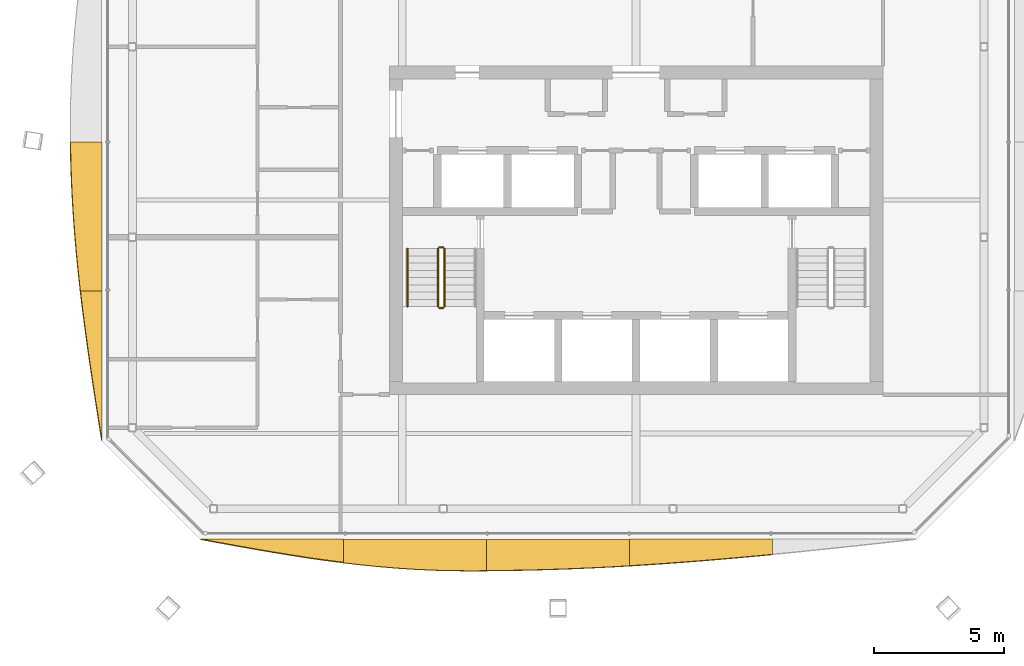
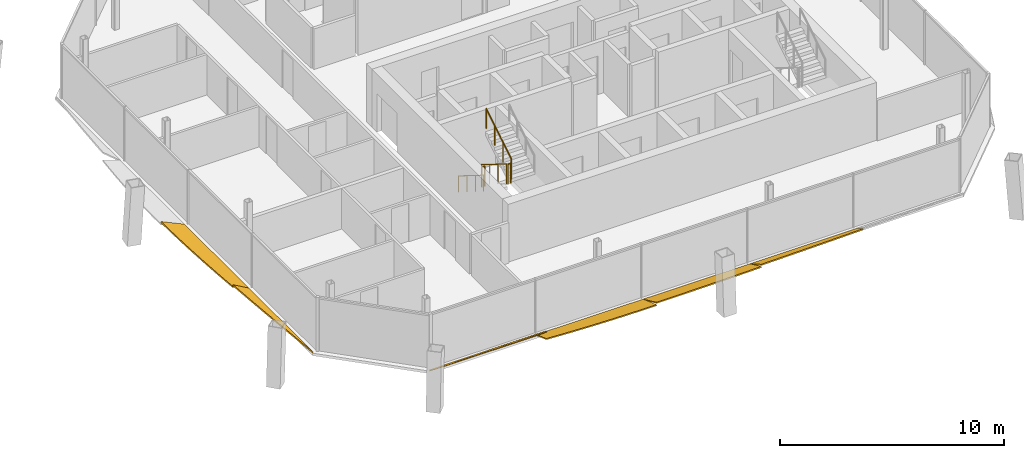
# One storey, part 13 of 16: 6 shading devices, 5 railings.
"""IFC4 building model written with IfcOpenShell, lengths in metres."""

import ifcopenshell
import ifcopenshell.guid

model = None  # the IFC model being written
_history = None  # IfcOwnerHistory: only IFC2X3 demands one
_inside = {}  # id of a spatial element -> (the spatial element, [elements in it])
_under = {}  # id of a project, library or spatial element -> (it, [spatial elements below it])
_declared = {}  # id of a project -> (the project, [libraries it declares])
_typed = {}  # id of a type object -> (the type object, [elements of that type])
_made_of = {}  # id of a material, layer set ... -> (it, [elements and type objects made of it])


def new_model(schema):
    """Start an empty IFC model of exactly this schema.

    Asked for "IFC4X3", IfcOpenShell would pick the latest addendum, in which some entities
    have other attributes; the version numbers below select the first issue.
    IFC2X3 requires an IfcOwnerHistory on every rooted entity: one is made here for all.
    """
    global model, _history
    if schema == "IFC4X3":
        model = ifcopenshell.file(schema_version=(4, 3, 0, 0))
    else:
        model = ifcopenshell.file(schema=schema)
    _inside.clear()
    _under.clear()
    _declared.clear()
    _typed.clear()
    _made_of.clear()
    _history = None
    if model.schema == "IFC2X3":
        org = make("IfcOrganization", Name="unknown")
        user = make(
            "IfcPersonAndOrganization",
            ThePerson=make("IfcPerson", FamilyName="unknown"),
            TheOrganization=org,
        )
        app = make(
            "IfcApplication",
            ApplicationDeveloper=org,
            Version="unknown",
            ApplicationFullName="unknown",
            ApplicationIdentifier="unknown",
        )
        _history = make(
            "IfcOwnerHistory",
            OwningUser=user,
            OwningApplication=app,
            ChangeAction="ADDED",
            CreationDate=0,
        )
    return model


def make(cls, **values):
    """One entity of the class cls with the attributes given. An attribute that is None is left unset."""
    return model.create_entity(
        cls, **{name: value for name, value in values.items() if value is not None}
    )


def rooted(cls, **values):
    """An entity with a GlobalId (a new one), such as an element, a storey or a relation."""
    return make(cls, GlobalId=ifcopenshell.guid.new(), OwnerHistory=_history, **values)


def si_unit(unit_type, name, prefix=None):
    """IfcSIUnit, for example si_unit("LENGTHUNIT", "METRE", prefix="MILLI")."""
    return make("IfcSIUnit", UnitType=unit_type, Prefix=prefix, Name=name)


def assignment(units):
    """IfcUnitAssignment: the units of a project."""
    return None if units is None else make("IfcUnitAssignment", Units=units)


def point(xyz):
    """IfcCartesianPoint."""
    return None if xyz is None else make("IfcCartesianPoint", Coordinates=xyz)


def direction(xyz):
    """IfcDirection."""
    return None if xyz is None else make("IfcDirection", DirectionRatios=xyz)


def frame(location, z_axis=None, x_axis=None):
    """IfcAxis2Placement3D, a coordinate frame: its origin and axes. An axis left out is left unset."""
    return make(
        "IfcAxis2Placement3D",
        Location=point(location),
        Axis=direction(z_axis),
        RefDirection=direction(x_axis),
    )


def frame_2d(location, x_axis=None):
    """IfcAxis2Placement2D, a coordinate frame in the plane: its origin and x axis."""
    return make(
        "IfcAxis2Placement2D", Location=point(location), RefDirection=direction(x_axis)
    )


def origin():
    """The frame at (0, 0, 0) with its axes left unset."""
    return frame((0.0, 0.0, 0.0))


def origin_2d():
    """The frame at (0, 0) in the plane with its x axis left unset."""
    return frame_2d((0.0, 0.0))


def place(relative_to, where):
    """IfcLocalPlacement: puts the frame where relative to a parent placement (None: the world)."""
    return make(
        "IfcLocalPlacement", PlacementRelTo=relative_to, RelativePlacement=where
    )


def context(
    kind, dimensions, precision=None, world=None, true_north=None, identifier=None
):
    """IfcGeometricRepresentationContext, for example the 3D "Model" context."""
    return make(
        "IfcGeometricRepresentationContext",
        ContextIdentifier=identifier,
        ContextType=kind,
        CoordinateSpaceDimension=dimensions,
        Precision=precision,
        WorldCoordinateSystem=world,
        TrueNorth=true_north,
    )


def subcontext(parent, identifier, kind, view, scale=None):
    """IfcGeometricRepresentationSubContext, for example "Body" below "Model"."""
    return make(
        "IfcGeometricRepresentationSubContext",
        ContextIdentifier=identifier,
        ContextType=kind,
        ParentContext=parent,
        TargetScale=scale,
        TargetView=view,
    )


def project(units=None, contexts=None):
    """IfcProject with its units and contexts."""
    return rooted(
        "IfcProject",
        Name="project",
        RepresentationContexts=contexts,
        UnitsInContext=assignment(units),
    )


def spatial(cls, under=None, at=None, **own):
    """A site, building, storey or space (cls), placed at a placement, below another one or the project."""
    s = rooted(cls, ObjectPlacement=at, **own)
    if under is not None:
        _under.setdefault(under.id(), (under, []))[1].append(s)
    return s


def polyline(points):
    """IfcPolyline through the points."""
    return make("IfcPolyline", Points=[point(p) for p in points])


def profile(cls, at=None, kind="AREA", **sizes):
    """A parametric profile (cls). Its sizes go by their IFC names, for example OverallWidth=200.0."""
    return make(cls, ProfileType=kind, Position=at, **sizes)


def circle(**sizes):
    """IfcCircleProfileDef."""
    return profile("IfcCircleProfileDef", **sizes)


def outline(outer, holes=None, kind="AREA"):
    """IfcArbitraryClosedProfileDef: a profile drawn as a closed curve; with holes, ...WithVoids."""
    if holes is None:
        return make("IfcArbitraryClosedProfileDef", ProfileType=kind, OuterCurve=outer)
    return make(
        "IfcArbitraryProfileDefWithVoids",
        ProfileType=kind,
        OuterCurve=outer,
        InnerCurves=holes,
    )


def extrude(swept, where, along, depth):
    """IfcExtrudedAreaSolid: the profile swept, set in the frame where, extruded along a direction by depth."""
    return make(
        "IfcExtrudedAreaSolid",
        SweptArea=swept,
        Position=where,
        ExtrudedDirection=direction(along),
        Depth=depth,
    )


def shape(context_of_items, identifier, shape_type, items):
    """IfcShapeRepresentation: the items that make up one representation, for example the "Body"."""
    return make(
        "IfcShapeRepresentation",
        ContextOfItems=context_of_items,
        RepresentationIdentifier=identifier,
        RepresentationType=shape_type,
        Items=items,
    )


def material(Name=None, Category=None):
    """IfcMaterial."""
    return make("IfcMaterial", Name=Name, Category=Category)


def layer(
    of_material, thickness, ventilated=None, Name=None, Category=None, Priority=None
):
    """IfcMaterialLayer: one layer of a wall or slab, of a material (None: an air gap)."""
    return make(
        "IfcMaterialLayer",
        Material=of_material,
        LayerThickness=thickness,
        IsVentilated=ventilated,
        Name=Name,
        Category=Category,
        Priority=Priority,
    )


def layer_set(layers, Name=None):
    """IfcMaterialLayerSet."""
    return make("IfcMaterialLayerSet", MaterialLayers=layers, LayerSetName=Name)


def made_of(thing, what):
    """Note that an element or type object is made of a material, layer set ...; save() writes the relation."""
    if what is not None:
        _made_of.setdefault(what.id(), (what, []))[1].append(thing)
    return thing


def type_object(cls, material=None, **own):
    """A type object (cls), such as IfcWallType, which elements share."""
    return made_of(rooted(cls, **own), material)


def element(
    cls,
    number,
    at=None,
    inside=None,
    cuts=None,
    type_object=None,
    material=None,
    context=None,
    identifier="Body",
    shape_type=None,
    held_by="IfcProductDefinitionShape",
    body=None,
    shapes=None,
    **own,
):
    """One element of the class cls, such as IfcWall. Its Tag is "e" and its number.

    at: its placement. inside: the storey or other place that contains it. cuts: it is an
    opening in that element (IfcRelVoidsElement). A single representation is given by context,
    identifier, shape_type and body (its items); several are given by shapes. held_by: the class
    of the entity that holds the representations. save() writes the other relations.
    """
    e = rooted(cls, Tag="e%d" % number, ObjectPlacement=at, **own)
    if body is not None:
        shapes = [shape(context, identifier, shape_type, body)]
    if shapes is not None:
        e.Representation = make(held_by, Representations=shapes)
    if inside is not None:
        _inside.setdefault(inside.id(), (inside, []))[1].append(e)
    if cuts is not None:
        rooted(
            "IfcRelVoidsElement", RelatingBuildingElement=cuts, RelatedOpeningElement=e
        )
    if type_object is not None:
        _typed.setdefault(type_object.id(), (type_object, []))[1].append(e)
    return made_of(e, material)


def aggregate(whole, parts):
    """IfcRelAggregates: a whole, such as a stair, and the parts it consists of."""
    return rooted("IfcRelAggregates", RelatingObject=whole, RelatedObjects=parts)


def save(model, path):
    """Write the relations noted so far, then the file.

    IfcRelAggregates (storeys below a building ...), IfcRelContainedInSpatialStructure (elements
    in a storey), IfcRelDefinesByType, IfcRelAssociatesMaterial and IfcRelDeclares: one each for
    every whole, place, type object, material and project.
    """
    for whole, parts in _under.values():
        aggregate(whole, parts)
    for where, things in _inside.values():
        rooted(
            "IfcRelContainedInSpatialStructure",
            RelatedElements=things,
            RelatingStructure=where,
        )
    for kind, things in _typed.values():
        rooted("IfcRelDefinesByType", RelatedObjects=things, RelatingType=kind)
    for what, things in _made_of.values():
        rooted("IfcRelAssociatesMaterial", RelatedObjects=things, RelatingMaterial=what)
    for by, libraries in _declared.values():
        rooted("IfcRelDeclares", RelatingContext=by, RelatedDefinitions=libraries)
    model.write(path)


model = new_model("IFC4")

# Units and contexts
model_context = context("Model", 3, precision=1e-05, world=origin(), true_north=direction((0.0, 1.0)))
body_context = subcontext(model_context, "Body", "Model", "MODEL_VIEW")
ifc_project = project(units=[si_unit("LENGTHUNIT", "METRE"), si_unit("AREAUNIT", "SQUARE_METRE"), si_unit("VOLUMEUNIT", "CUBIC_METRE"), si_unit("PLANEANGLEUNIT", "RADIAN"), si_unit("MASSUNIT", "GRAM", prefix="KILO")], contexts=[model_context])

# Site, building, storey
site_placement = place(None, origin())
site = spatial("IfcSite", under=ifc_project, at=site_placement, CompositionType="ELEMENT")
building_placement = place(site_placement, origin())
building = spatial("IfcBuilding", under=site, at=building_placement, Name="Tskaro Facet Tower", CompositionType="ELEMENT")
storey_placement = place(building_placement, frame((0.0, 0.0, 248.699951171875)))
storey = spatial("IfcBuildingStorey", under=building, at=storey_placement, Name="L65", CompositionType="ELEMENT", Elevation=248.699951171875)

# Shading devices
ifc_material_1 = material(Name="Bronze anodised aluminium 6063-T6", Category="aluminium")
ifc_layer = layer(ifc_material_1, 0.06005859375, Name="Bronze anodised aluminium 6063-T6")
ifc_layer_set = layer_set([ifc_layer], Name="Bronze anodised aluminium 6063-T6")
shading_device_type = type_object("IfcShadingDeviceType", Name="Bronze sun blade (FN1)", PredefinedType="USERDEFINED", material=ifc_layer_set)
shading_device_1_placement = place(storey_placement, frame((-16.764892578125, -17.552490234375, 0.0458984375), z_axis=(-7.146244e-06, 0.642888154154, 0.765960065015), x_axis=(0.999999999974, 4.594236e-06, 5.473738e-06)))
element("IfcShadingDevice", 1, at=shading_device_1_placement, inside=storey, type_object=shading_device_type, Name="Fin blade south 1", ObjectType="FIN", PredefinedType="USERDEFINED", context=body_context, shape_type="SweptSolid", body=[
    extrude(outline(polyline([(0.0, 0.0), (5.505859374859411, 0.0), (5.50585937519911, -1.1749083859178986), (4.817626952262358, -1.0581234896075853), (4.129394530735418, -0.9297108669712509), (3.4411621101408167, -0.7908893912321986), (2.7529296866361634, -0.6434389415207385), (2.0646972662110716, -0.48901920955422806), (1.3764648434720639, -0.3289091622624468), (0.6882324223801985, -0.16548645238552373), (0.0, 0.0)])), origin(), (0.0, 0.0, -1.0), 0.06005859375),
])
shading_device_2_placement = place(storey_placement, frame((-11.259033203125, -17.570556640625, 0.056396484375), z_axis=(1.2464375e-05, 0.34209360449, 0.939665879774), x_axis=(0.999999999922, -4.263983e-06, -1.1712348e-05)))
element("IfcShadingDevice", 2, at=shading_device_2_placement, inside=storey, type_object=shading_device_type, Name="Fin blade south 2", ObjectType="FIN", PredefinedType="USERDEFINED", context=body_context, shape_type="SweptSolid", body=[
    extrude(outline(polyline([(0.0, 0.0), (5.506103515197284, -4.663851088727108e-21), (5.506103516484968, -1.2834555047279206), (4.817871093635706, -1.2860836866655516), (4.790283203012849, -1.2860836866655516), (4.12963867152402, -1.279596750767889), (3.4411621097619336, -1.2590512627212815), (2.752929686739947, -1.2245307414721454), (2.0646972649561155, -1.1767234188660711), (1.376464844410437, -1.1156292949030588), (0.6882324206885787, -1.0424165688831424), (-2.26965153424664e-10, -0.9576899537054978), (0.0, 0.0)])), origin(), (0.0, 0.0, -1.0), 0.06005859375),
])
shading_device_3_placement = place(storey_placement, frame((-5.7529296875, -17.565673828125, 0.054443359375), z_axis=(1.4867447e-05, 0.422630291329, 0.906302177328), x_axis=(0.999999999889, -6.283434e-06, -1.34744e-05)))
element("IfcShadingDevice", 3, at=shading_device_3_placement, inside=storey, type_object=shading_device_type, Name="Fin blade south 3", ObjectType="FIN", PredefinedType="USERDEFINED", context=body_context, shape_type="SweptSolid", body=[
    extrude(outline(polyline([(0.0, 0.0), (5.505859374391489, 4.66364429357397e-21), (5.505859375602944, -1.124897233947759), (4.817626952748569, -1.1674925429310377), (4.129394531666717, -1.2057221592458929), (3.441162109289307, -1.2391435525322523), (2.7529296873719455, -1.2674322763865993), (2.064697265693069, -1.2911340423924864), (1.3764648429401989, -1.309481873786325), (0.6882324206473782, -1.322697035748151), (-1.1853936270389461e-09, -1.3307795282779642), (0.0, 0.0)])), origin(), (0.0, 0.0, -1.0), 0.06005859375),
])
shading_device_4_placement = place(storey_placement, frame((-0.2470703125, -17.56103515625, 0.052001953125), z_axis=(-7.294257e-06, 0.50002332196, 0.866011938395), x_axis=(0.999999999973, 3.647299e-06, 6.316914e-06)))
element("IfcShadingDevice", 4, at=shading_device_4_placement, inside=storey, type_object=shading_device_type, Name="Fin blade south 4", ObjectType="FIN", PredefinedType="USERDEFINED", context=body_context, shape_type="SweptSolid", body=[
    extrude(outline(polyline([(0.0, 0.0), (5.506103515478521, 0.0), (5.506103515854071, -0.6712662336638026), (4.81787109285692, -0.7467288291423074), (4.129638671943684, -0.8192553289341752), (3.441406250920384, -0.8883901523308203), (2.753173827354356, -0.9542226520218048), (2.0649414063496265, -1.0160291892298583), (1.376464843958081, -1.0741105453404454), (0.6882324216683982, -1.127921786955419), (-2.539616552053834e-10, -1.1772514853788767), (0.0, 0.0)])), origin(), (0.0, 0.0, -1.0), 0.06005859375),
])
shading_device_5_placement = place(storey_placement, frame((-20.565673828125, -2.271484375, 0.054443359375), z_axis=(0.422632138045, 2.557687e-06, 0.906301316277), x_axis=(1.080961e-06, -0.999999999997, 2.318035e-06)))
element("IfcShadingDevice", 5, at=shading_device_5_placement, inside=storey, type_object=shading_device_type, Name="Fin blade west 3", ObjectType="FIN", PredefinedType="USERDEFINED", context=body_context, shape_type="SweptSolid", body=[
    extrude(outline(polyline([(0.0, 0.0), (5.7468261718562035, 0.0), (5.746826172166173, -0.9084102518657613), (5.028320312478842, -0.9959017998725754), (4.310058593636524, -1.0745438787612436), (3.5917968752400125, -1.1435695119480536), (2.8732910155324545, -1.2027723360843492), (2.1550292968194764, -1.2512672912909522), (1.4367675779101505, -1.2889511958935338), (0.7182617187072916, -1.315381519952505), (1.5887740638123414e-10, -1.3302338168237429), (0.0, 0.0)])), origin(), (0.0, 0.0, -1.0), 0.06005859375),
])
shading_device_6_placement = place(storey_placement, frame((-20.56103515625, -8.018310546875, 0.052001953125), z_axis=(0.499960901898, -1.3970529e-05, 0.866047975795), x_axis=(-6.984718e-06, -0.999999999902, -1.2099148e-05)))
element("IfcShadingDevice", 6, at=shading_device_6_placement, inside=storey, type_object=shading_device_type, Name="Fin blade west 4", ObjectType="FIN", PredefinedType="USERDEFINED", context=body_context, shape_type="SweptSolid", body=[
    extrude(outline(polyline([(0.0, 0.0), (5.746582030689203, 0.0), (5.028320312852059, -0.1304857845829803), (4.310058594101687, -0.2598816976553623), (3.5915527328998857, -0.3870978677065478), (2.873291015491168, -0.5108003016917846), (2.1550292973834373, -0.6300211888675515), (1.4365234370384907, -0.74367065772325), (0.7182617182035612, -0.8510817117365043), (-1.1161677548873747e-09, -0.9506195436414169), (0.0, 0.0)])), origin(), (0.0, 0.0, -1.0), 0.06005859375),
])

# Railings
ifc_material_2 = material(Name="Stainless steel", Category="steel")
railing_type_1 = type_object("IfcRailingType", Name="RL-GUARD-1100", PredefinedType="GUARDRAIL", material=ifc_material_2)
railing_1_placement = place(storey_placement, frame((-7.625, -6.375, 0.175048828125)))
element("IfcRailing", 7, at=railing_1_placement, inside=storey, type_object=railing_type_1, Name="L65 ST-1 stair guard 1", PredefinedType="GUARDRAIL", context=body_context, shape_type="SweptSolid", body=[
    extrude(circle(Radius=0.02392578125, at=origin_2d()), frame((0.0, 0.0, 1.076171875), z_axis=(0.0, -0.848013881152, 0.529974015752), x_axis=(1.0, 0.0, 0.0)), (0.0, 0.0, 1.0), 2.641357421875),
    extrude(circle(Radius=0.02099609375, at=origin_2d()), origin(), (0.0, 0.0, 1.0), 1.052001953125),
    extrude(circle(Radius=0.02099609375, at=origin_2d()), frame((0.0, -0.74658203125, 0.466552734375)), (0.0, 0.0, 1.0), 1.052001953125),
    extrude(circle(Radius=0.02099609375, at=origin_2d()), frame((0.0, -1.493408203125, 0.933349609375)), (0.0, 0.0, 1.0), 1.052001953125),
    extrude(circle(Radius=0.02099609375, at=origin_2d()), frame((0.0, -2.239990234375, 1.39990234375)), (0.0, 0.0, 1.0), 1.052001953125),
])
railing_2_placement = place(storey_placement, frame((-7.574951171875, -8.6650390625, 1.574951171875)))
element("IfcRailing", 8, at=railing_2_placement, inside=storey, type_object=railing_type_1, Name="L65 ST-1 stair guard 2", PredefinedType="GUARDRAIL", context=body_context, shape_type="SweptSolid", body=[
    extrude(circle(Radius=0.02392578125, at=origin_2d()), frame((0.0, 0.0, 1.076171875), z_axis=(1.0, 0.0, 0.0), x_axis=(0.0, 1.0, 0.0)), (0.0, 0.0, 1.0), 0.14990234375),
    extrude(circle(Radius=0.02099609375, at=origin_2d()), origin(), (0.0, 0.0, 1.0), 1.052001953125),
    extrude(circle(Radius=0.02099609375, at=origin_2d()), frame((0.14990234375, 0.0, 0.0)), (0.0, 0.0, 1.0), 1.052001953125),
])
railing_3_placement = place(storey_placement, frame((-7.375, -8.614990234375, 1.75)))
element("IfcRailing", 9, at=railing_3_placement, inside=storey, type_object=railing_type_1, Name="L65 ST-1 stair guard 3", PredefinedType="GUARDRAIL", context=body_context, shape_type="SweptSolid", body=[
    extrude(circle(Radius=0.02392578125, at=origin_2d()), frame((0.0, 0.0, 1.076171875), z_axis=(0.0, 0.847972341737, 0.530040477369), x_axis=(-1.0, 0.0, 0.0)), (0.0, 0.0, 1.0), 2.6416015625),
    extrude(circle(Radius=0.02099609375, at=origin_2d()), origin(), (0.0, 0.0, 1.0), 1.052001953125),
    extrude(circle(Radius=0.02099609375, at=origin_2d()), frame((0.0, 0.74658203125, 0.466796875)), (0.0, 0.0, 1.0), 1.052001953125),
    extrude(circle(Radius=0.02099609375, at=origin_2d()), frame((0.0, 1.493408203125, 0.933349609375)), (0.0, 0.0, 1.0), 1.052001953125),
    extrude(circle(Radius=0.02099609375, at=origin_2d()), frame((0.0, 2.239990234375, 1.400146484375)), (0.0, 0.0, 1.0), 1.052001953125),
])
railing_4_placement = place(storey_placement, frame((-7.574951171875, -6.324951171875, 0.0)))
element("IfcRailing", 10, at=railing_4_placement, inside=storey, type_object=railing_type_1, Name="L65 ST-1 stair guard 4", PredefinedType="GUARDRAIL", context=body_context, shape_type="SweptSolid", body=[
    extrude(circle(Radius=0.02392578125, at=origin_2d()), frame((0.0, 0.0, 1.076171875), z_axis=(1.0, 0.0, 0.0), x_axis=(0.0, 1.0, 0.0)), (0.0, 0.0, 1.0), 0.14990234375),
    extrude(circle(Radius=0.02099609375, at=origin_2d()), origin(), (0.0, 0.0, 1.0), 1.052001953125),
    extrude(circle(Radius=0.02099609375, at=origin_2d()), frame((0.14990234375, 0.0, 0.0)), (0.0, 0.0, 1.0), 1.052001953125),
])
railing_type_2 = type_object("IfcRailingType", Name="RL-HANDRAIL-900", PredefinedType="HANDRAIL", material=ifc_material_2)
railing_5_placement = place(storey_placement, frame((-8.800048828125, -6.375, 0.175048828125)))
element("IfcRailing", 11, at=railing_5_placement, inside=storey, type_object=railing_type_2, Name="L65 ST-1 stair handrail 1", PredefinedType="HANDRAIL", context=body_context, shape_type="SweptSolid", body=[
    extrude(circle(Radius=0.02392578125, at=origin_2d()), frame((0.0, 0.0, 0.8759765625), z_axis=(0.0, -0.848013881152, 0.529974015752), x_axis=(1.0, 0.0, 0.0)), (0.0, 0.0, 1.0), 2.641357421875),
    extrude(circle(Radius=0.02099609375, at=origin_2d()), origin(), (0.0, 0.0, 1.0), 0.851806640625),
    extrude(circle(Radius=0.02099609375, at=origin_2d()), frame((0.0, -0.74658203125, 0.466552734375)), (0.0, 0.0, 1.0), 0.851806640625),
    extrude(circle(Radius=0.02099609375, at=origin_2d()), frame((0.0, -1.493408203125, 0.933349609375)), (0.0, 0.0, 1.0), 0.851806640625),
    extrude(circle(Radius=0.02099609375, at=origin_2d()), frame((0.0, -2.239990234375, 1.39990234375)), (0.0, 0.0, 1.0), 0.851806640625),
])

save(model, "model.ifc")
